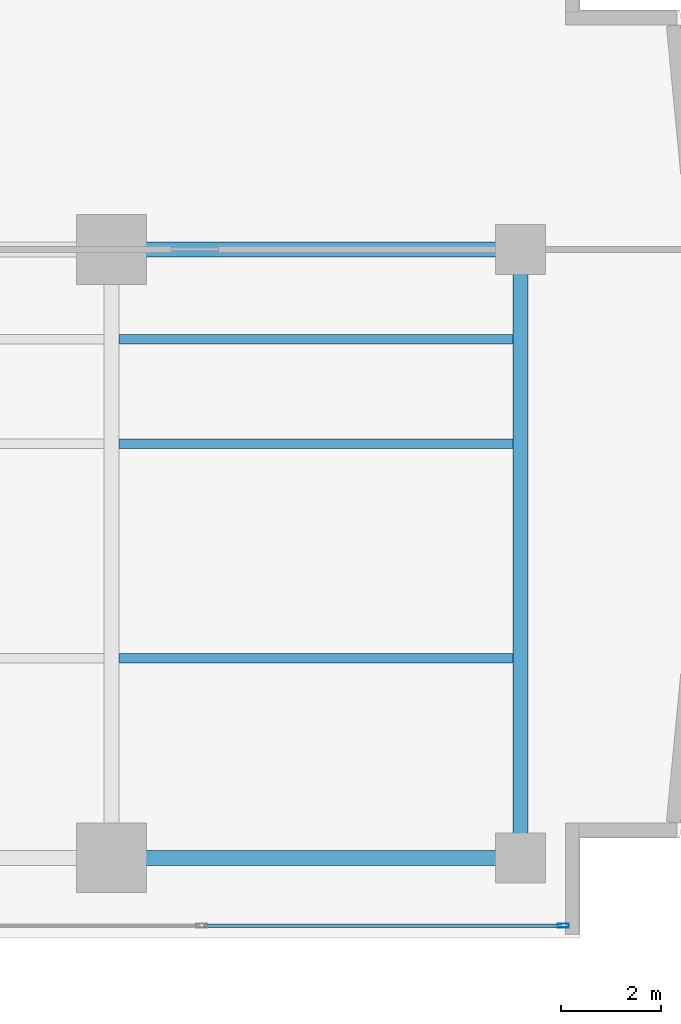
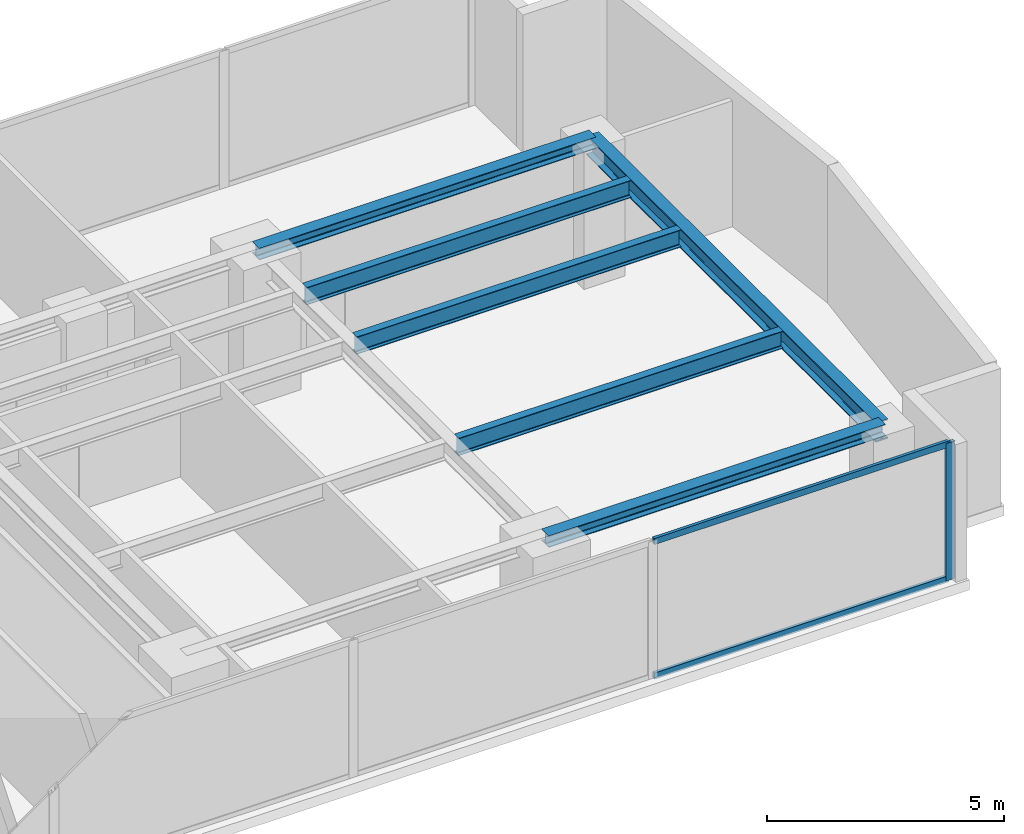
# One storey, part 12 of 26: 6 beams, 3 members, 1 element without a shape of its own.
"""IFC4 building model written with IfcOpenShell, lengths in metres."""

from ifc_helpers import new_model, si_unit, direction, frame, origin, origin_with_axes, origin_2d, place, context, subcontext, project, spatial, hollow_rectangle, i_section, extrude, source, transform, mapped, material, layer, layer_set, material_profile, profile_set, type_object, element, aggregate, save


model = new_model("IFC4")

# Units and contexts
model_context = context("Model", 3, precision=1e-05, world=origin(), true_north=direction((0.0, 1.0)))
body_context = subcontext(model_context, "Body", "Model", "MODEL_VIEW")
ifc_project = project(units=[si_unit("LENGTHUNIT", "METRE"), si_unit("AREAUNIT", "SQUARE_METRE"), si_unit("VOLUMEUNIT", "CUBIC_METRE"), si_unit("PLANEANGLEUNIT", "RADIAN"), si_unit("MASSUNIT", "GRAM", prefix="KILO")], contexts=[model_context])

# Site, building, storey
site_placement = place(None, origin())
site = spatial("IfcSite", under=ifc_project, at=site_placement, CompositionType="ELEMENT")
building_placement = place(site_placement, origin())
building = spatial("IfcBuilding", under=site, at=building_placement, Name="Kolvaren Waterfront Exchange", CompositionType="ELEMENT")
storey_placement = place(building_placement, frame((0.0, 0.0, 122.10009765625)))
storey = spatial("IfcBuildingStorey", under=building, at=storey_placement, Name="L31", CompositionType="ELEMENT", Elevation=122.10009765625)

# Beams
ifc_material_1 = material(Name="Steel S355", Category="steel")
ifc_material_profile_1 = material_profile(ifc_material_1, i_section(OverallWidth=0.300048828125, OverallDepth=0.300048828125, WebThickness=0.010986328125, FlangeThickness=0.01904296875, FilletRadius=0.027099609375, at=origin_2d()), Name="HEB300")
ifc_profile_set_1 = profile_set([ifc_material_profile_1], Name="Steel S355")
beam_type_1 = type_object("IfcBeamType", Name="STR-BM-HEB300", PredefinedType="SPANDREL", material=ifc_profile_set_1)
for number, where, z_axis, x_axis, name in (
    (1, (45.60009765625, 5.199951171875, 3.389892578125), (1.0, 0.0, 0.0), (0.0, 1.0, 0.0), "L31 east-arm spandrel S4"),
    (2, (45.60009765625, 17.39990234375, 3.389892578125), (1.0, 0.0, 0.0), (0.0, 1.0, 0.0), "L31 east-arm spandrel N4"),
):
    element("IfcBeam", number, at=place(storey_placement, frame(where, z_axis=z_axis, x_axis=x_axis)), inside=storey, type_object=beam_type_1, Name=name, PredefinedType="SPANDREL", context=body_context, shape_type="SweptSolid", body=[
        extrude(i_section(OverallWidth=0.300048828125, OverallDepth=0.300048828125, WebThickness=0.010986328125, FlangeThickness=0.01904296875, FilletRadius=0.027099609375, at=origin_2d()), origin(), (0.0, 0.0, 1.0), 8.199951171875),
    ])
ifc_material_profile_2 = material_profile(ifc_material_1, i_section(OverallWidth=0.300048828125, OverallDepth=0.5, WebThickness=0.014404296875, FlangeThickness=0.028076171875, FilletRadius=0.027099609375, at=origin_2d()), Name="HEB500")
ifc_profile_set_2 = profile_set([ifc_material_profile_2], Name="Steel S355")
beam_type_2 = type_object("IfcBeamType", Name="STR-BM-HEB500", PredefinedType="BEAM", material=ifc_profile_set_2)
beam_placement = place(storey_placement, frame((53.800048828125, 5.199951171875, 3.289794921875), z_axis=(0.0, 1.0, 0.0), x_axis=(-1.0, 0.0, 0.0)))
element("IfcBeam", 3, at=beam_placement, inside=storey, type_object=beam_type_2, Name="L31 east-arm transverse girder X53", PredefinedType="BEAM", context=body_context, shape_type="SweptSolid", body=[
    extrude(i_section(OverallWidth=0.300048828125, OverallDepth=0.5, WebThickness=0.014404296875, FlangeThickness=0.028076171875, FilletRadius=0.027099609375, at=origin_2d()), origin(), (0.0, 0.0, 1.0), 12.199951171875),
])
ifc_material_profile_3 = material_profile(ifc_material_1, i_section(OverallWidth=0.18994140625, OverallDepth=0.449951171875, WebThickness=0.009521484375, FlangeThickness=0.0146484375, FilletRadius=0.02099609375, at=origin_2d()), Name="IPE450")
ifc_profile_set_3 = profile_set([ifc_material_profile_3], Name="Steel S355")
beam_type_3 = type_object("IfcBeamType", Name="STR-BM-IPE450", PredefinedType="JOIST", material=ifc_profile_set_3)
for number, where, z_axis, x_axis, name in (
    (4, (45.751953125, 13.5, 3.31494140625), (1.0, 0.0, 0.0), (0.0, 1.0, 0.0), "L31 east-arm composite joist 4A"),
    (5, (45.751953125, 15.60009765625, 3.31494140625), (1.0, 0.0, 0.0), (0.0, 1.0, 0.0), "L31 east-arm composite joist 4C"),
    (6, (45.751953125, 9.199951171875, 3.31494140625), (1.0, 0.0, 0.0), (0.0, 1.0, 0.0), "L31 east-arm composite joist 4B"),
):
    element("IfcBeam", number, at=place(storey_placement, frame(where, z_axis=z_axis, x_axis=x_axis)), inside=storey, type_object=beam_type_3, Name=name, PredefinedType="JOIST", context=body_context, shape_type="SweptSolid", body=[
        extrude(i_section(OverallWidth=0.18994140625, OverallDepth=0.449951171875, WebThickness=0.009521484375, FlangeThickness=0.0146484375, FilletRadius=0.02099609375, at=origin_2d()), origin(), (0.0, 0.0, 1.0), 7.89599609375),
    ])

# Curtain wall, members
ifc_material_2 = material(Name="Anodised bronze aluminium 6063-T6", Category="aluminium")
ifc_layer = layer(ifc_material_2, 0.219970703125, Name="Anodised bronze aluminium 6063-T6")
ifc_layer_set = layer_set([ifc_layer], Name="Anodised bronze aluminium 6063-T6")
curtain_wall_type = type_object("IfcCurtainWallType", Name="ARC-CW-SYS1", PredefinedType="USERDEFINED", material=ifc_layer_set)
curtain_wall_placement = place(storey_placement, origin())
curtain_wall = element("IfcCurtainWall", 7, at=curtain_wall_placement, inside=storey, type_object=curtain_wall_type, Name="L31 stick curtain wall CW1 (CW-L31-S)", ObjectType="STICK CURTAIN WALL", PredefinedType="USERDEFINED")
ifc_material_3 = material(Name="Anodised aluminium 6063-T6", Category="aluminium")
ifc_material_profile_4 = material_profile(ifc_material_3, hollow_rectangle(XDim=0.080078125, YDim=0.219970703125, WallThickness=0.0048828125, at=origin_2d()), Name="ALU-MUL-220x80x5")
ifc_profile_set_4 = profile_set([ifc_material_profile_4], Name="Anodised aluminium 6063-T6")
member_type_1 = type_object("IfcMemberType", Name="ARC-CWM-220", PredefinedType="MULLION", material=ifc_profile_set_4)
shared_shape_1 = source(origin_with_axes(), body_context, "Body", "SweptSolid", [
    extrude(hollow_rectangle(XDim=0.080078125, YDim=0.219970703125, WallThickness=0.0048828125, at=origin_2d()), origin(), (0.0, 0.0, 1.0), 3.539794921875),
])
member_1_placement = place(storey_placement, frame((54.659912109375, 3.840087890625, 0.0), z_axis=(0.0, 0.0, 1.0), x_axis=(0.0, 1.0, 0.0)))
member_1 = element("IfcMember", 8, at=member_1_placement, type_object=member_type_1, Name="CW1 mullion 8", PredefinedType="MULLION", context=body_context, shape_type="MappedRepresentation", body=[
    mapped(shared_shape_1, transform((0.0, 0.0, 0.0), x_axis=(1.0, 0.0, 0.0), y_axis=(0.0, 1.0, 0.0), z_axis=(0.0, 0.0, 1.0), scale=1.0)),
])
ifc_material_profile_5 = material_profile(ifc_material_3, hollow_rectangle(XDim=0.074951171875, YDim=0.159912109375, WallThickness=0.00439453125, at=origin_2d()), Name="ALU-TRN-160x75x4.5")
ifc_profile_set_5 = profile_set([ifc_material_profile_5], Name="Anodised aluminium 6063-T6")
member_type_2 = type_object("IfcMemberType", Name="ARC-CWT-160", PredefinedType="USERDEFINED", material=ifc_profile_set_5)
shared_shape_2 = source(origin_with_axes(), body_context, "Body", "SweptSolid", [
    extrude(hollow_rectangle(XDim=0.074951171875, YDim=0.159912109375, WallThickness=0.00439453125, at=origin_2d()), origin(), (0.0, 0.0, 1.0), 7.165771484375),
])
member_2_placement = place(storey_placement, frame((47.454345703125, 3.840087890625, 0.037353515625), z_axis=(1.0, 0.0, 0.0), x_axis=(0.0, 1.0, 0.0)))
member_2 = element("IfcMember", 9, at=member_2_placement, type_object=member_type_2, Name="CW1 transom 7.1", ObjectType="TRANSOM", PredefinedType="USERDEFINED", context=body_context, shape_type="MappedRepresentation", body=[
    mapped(shared_shape_2, transform((0.0, 0.0, 0.0), x_axis=(1.0, 0.0, 0.0), y_axis=(0.0, 1.0, 0.0), z_axis=(0.0, 0.0, 1.0), scale=1.0)),
])
member_3_placement = place(storey_placement, frame((47.454345703125, 3.840087890625, 3.50244140625), z_axis=(1.0, 0.0, 0.0), x_axis=(0.0, 1.0, 0.0)))
member_3 = element("IfcMember", 10, at=member_3_placement, type_object=member_type_2, Name="CW1 transom 7.2", ObjectType="TRANSOM", PredefinedType="USERDEFINED", context=body_context, shape_type="MappedRepresentation", body=[
    mapped(shared_shape_2, transform((0.0, 0.0, 0.0), x_axis=(1.0, 0.0, 0.0), y_axis=(0.0, 1.0, 0.0), z_axis=(0.0, 0.0, 1.0), scale=1.0)),
])
aggregate(curtain_wall, [member_1, member_2, member_3])

save(model, "model.ifc")
